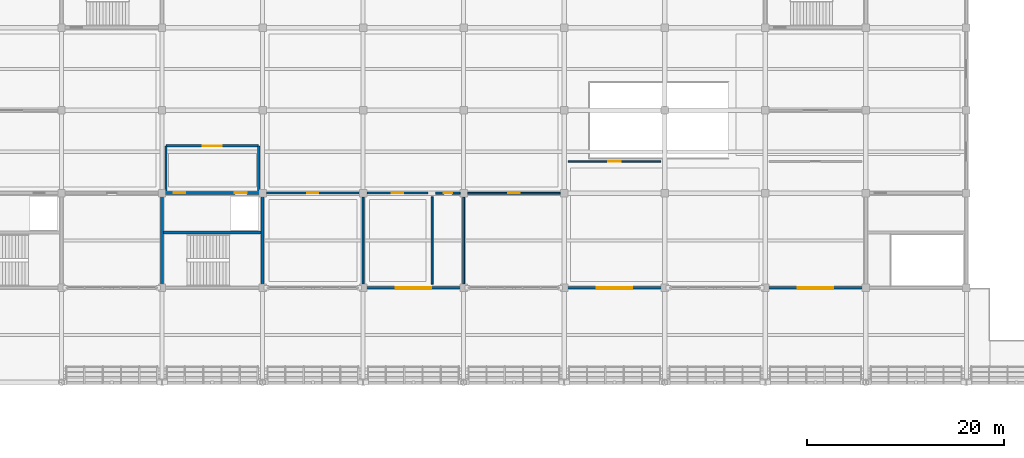
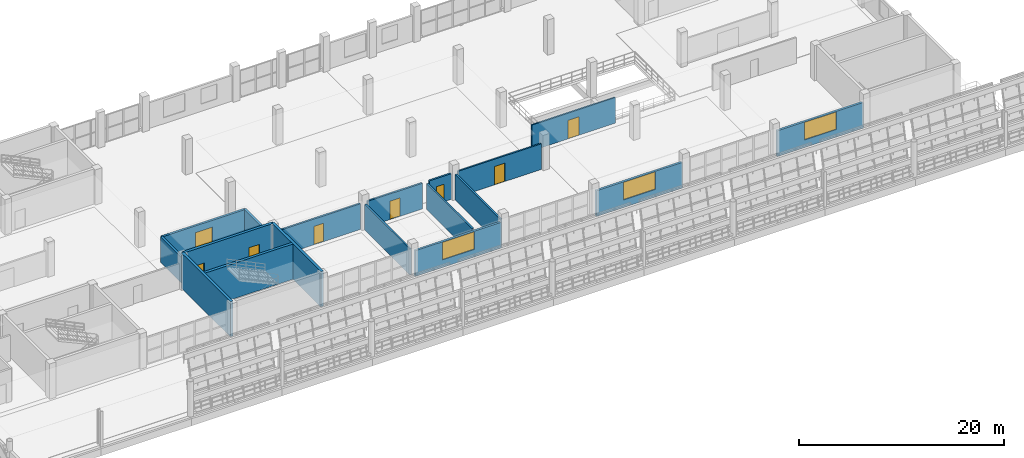
# One storey, part 127 of 157: 18 walls, 8 doors, 3 windows, 11 openings.
"""IFC4 building model written with IfcOpenShell, lengths in metres."""

from ifc_helpers import new_model, si_unit, direction, frame, frame_2d, origin, place, context, subcontext, project, spatial, rectangle, extrude, material, layer, layer_set, type_object, element, fill, save


model = new_model("IFC4")

# Units and contexts
model_context = context("Model", 3, precision=1e-05, world=origin(), true_north=direction((0.0, 1.0)))
body_context = subcontext(model_context, "Body", "Model", "MODEL_VIEW")
ifc_project = project(units=[si_unit("LENGTHUNIT", "METRE"), si_unit("AREAUNIT", "SQUARE_METRE"), si_unit("VOLUMEUNIT", "CUBIC_METRE"), si_unit("PLANEANGLEUNIT", "RADIAN"), si_unit("MASSUNIT", "GRAM", prefix="KILO")], contexts=[model_context])

# Site, building, storey
site_placement = place(None, origin())
site = spatial("IfcSite", under=ifc_project, at=site_placement, CompositionType="ELEMENT")
building_placement = place(site_placement, origin())
building = spatial("IfcBuilding", under=site, at=building_placement, Name="Brelvane Convention Centre", CompositionType="ELEMENT")
storey_placement = place(building_placement, frame((0.0, 0.0, 10.800048828125)))
storey = spatial("IfcBuildingStorey", under=building, at=storey_placement, Name="L02", CompositionType="ELEMENT", Elevation=10.800048828125)

# Wall, opening, window
ifc_material_1 = material(Name="Insulated Autoclaved Aerated Concrete Block Grade 1", Category="concrete")
ifc_layer_1 = layer(ifc_material_1, 0.239990234375)
ifc_layer_set_1 = layer_set([ifc_layer_1], Name="Insulated Autoclaved Aerated Concrete Block Grade 1")
wall_type_1 = type_object("IfcWallType", Name="Exterior Wall EW-03", PredefinedType="STANDARD", material=ifc_layer_set_1)
wall_1_placement = place(storey_placement, frame((51.239990234375, 109.199951171875, 0.0), z_axis=(0.0, 0.0, 1.0), x_axis=(1.0, 0.0, 0.0)))
wall_1 = element("IfcWall", 1, at=wall_1_placement, inside=storey, type_object=wall_type_1, Name="Exterior Wall L02 V4S-06", PredefinedType="STANDARD", context=body_context, shape_type="SweptSolid", body=[
    extrude(rectangle(XDim=9.719970703125, YDim=0.239990234375, at=frame_2d((4.85986328125, 0.0))), origin(), (0.0, 0.0, 1.0), 3.06005859375),
])
opening_1_placement = place(wall_1_placement, frame((3.06005859375, 0.0, 0.89990234375)))
opening_1 = element("IfcOpeningElement", 2, at=opening_1_placement, cuts=wall_1, Name="Opening WN-03", PredefinedType="OPENING", context=body_context, shape_type="SweptSolid", body=[
    extrude(rectangle(XDim=3.60009765625, YDim=2.10009765625, at=frame_2d((1.800048828125, 1.050048828125))), frame((0.0, 0.1298828125, 0.0), z_axis=(0.0, -1.0, 0.0), x_axis=(1.0, 0.0, 0.0)), (0.0, 0.0, 1.0), 0.260009765625),
])
ifc_material_2 = material(Name="Double Glazed Low-E Laminated Unit")
window_type = type_object("IfcWindowType", Name="Window WN-03", PartitioningType="TRIPLE_PANEL_VERTICAL", PredefinedType="WINDOW", material=ifc_material_2)
window_1_placement = place(opening_1_placement, origin())
window_1 = element("IfcWindow", 3, at=window_1_placement, inside=storey, type_object=window_type, Name="Facade Window L02-V4S-06-033", OverallHeight=2.10009765625, OverallWidth=3.60009765625, PartitioningType="TRIPLE_PANEL_VERTICAL", PredefinedType="WINDOW", context=body_context, shape_type="SweptSolid", body=[
    extrude(rectangle(XDim=3.60009765625, YDim=2.10009765625, at=frame_2d((1.800048828125, 1.050048828125))), frame((0.0, 0.030029296875, 0.0), z_axis=(0.0, -1.0, 0.0), x_axis=(1.0, 0.0, 0.0)), (0.0, 0.0, 1.0), 0.06005859375),
])
fill(opening_1, window_1)

wall_2_placement = place(storey_placement, frame((71.639892578125, 109.199951171875, 0.0), z_axis=(0.0, 0.0, 1.0), x_axis=(1.0, 0.0, 0.0)))
wall_2 = element("IfcWall", 4, at=wall_2_placement, inside=storey, type_object=wall_type_1, Name="Exterior Wall L02 V4S-08", PredefinedType="STANDARD", context=body_context, shape_type="SweptSolid", body=[
    extrude(rectangle(XDim=9.72021484375, YDim=0.239990234375, at=frame_2d((4.860107421875, 0.0))), origin(), (0.0, 0.0, 1.0), 3.06005859375),
])
opening_2_placement = place(wall_2_placement, frame((3.06005859375, 0.0, 0.89990234375)))
opening_2 = element("IfcOpeningElement", 5, at=opening_2_placement, cuts=wall_2, Name="Opening WN-03", PredefinedType="OPENING", context=body_context, shape_type="SweptSolid", body=[
    extrude(rectangle(XDim=3.60009765625, YDim=2.10009765625, at=frame_2d((1.800048828125, 1.050048828125))), frame((0.0, 0.1298828125, 0.0), z_axis=(0.0, -1.0, 0.0), x_axis=(1.0, 0.0, 0.0)), (0.0, 0.0, 1.0), 0.260009765625),
])
window_2_placement = place(opening_2_placement, origin())
window_2 = element("IfcWindow", 6, at=window_2_placement, inside=storey, type_object=window_type, Name="Facade Window L02-V4S-08-036", OverallHeight=2.10009765625, OverallWidth=3.60009765625, PartitioningType="TRIPLE_PANEL_VERTICAL", PredefinedType="WINDOW", context=body_context, shape_type="SweptSolid", body=[
    extrude(rectangle(XDim=3.60009765625, YDim=2.10009765625, at=frame_2d((1.800048828125, 1.050048828125))), frame((0.0, 0.030029296875, 0.0), z_axis=(0.0, -1.0, 0.0), x_axis=(1.0, 0.0, 0.0)), (0.0, 0.0, 1.0), 0.06005859375),
])
fill(opening_2, window_2)

wall_3_placement = place(storey_placement, frame((92.0400390625, 109.199951171875, 0.0), z_axis=(0.0, 0.0, 1.0), x_axis=(1.0, 0.0, 0.0)))
wall_3 = element("IfcWall", 7, at=wall_3_placement, inside=storey, type_object=wall_type_1, Name="Exterior Wall L02 V4S-10", PredefinedType="STANDARD", context=body_context, shape_type="SweptSolid", body=[
    extrude(rectangle(XDim=9.719970703125, YDim=0.239990234375, at=frame_2d((4.85986328125, 0.0))), origin(), (0.0, 0.0, 1.0), 3.06005859375),
])
opening_3_placement = place(wall_3_placement, frame((3.06005859375, 0.0, 0.89990234375)))
opening_3 = element("IfcOpeningElement", 8, at=opening_3_placement, cuts=wall_3, Name="Opening WN-03", PredefinedType="OPENING", context=body_context, shape_type="SweptSolid", body=[
    extrude(rectangle(XDim=3.60009765625, YDim=2.10009765625, at=frame_2d((1.800048828125, 1.050048828125))), frame((0.0, 0.1298828125, 0.0), z_axis=(0.0, -1.0, 0.0), x_axis=(1.0, 0.0, 0.0)), (0.0, 0.0, 1.0), 0.260009765625),
])
window_3_placement = place(opening_3_placement, origin())
window_3 = element("IfcWindow", 9, at=window_3_placement, inside=storey, type_object=window_type, Name="Facade Window L02-V4S-10-039", OverallHeight=2.10009765625, OverallWidth=3.60009765625, PartitioningType="TRIPLE_PANEL_VERTICAL", PredefinedType="WINDOW", context=body_context, shape_type="SweptSolid", body=[
    extrude(rectangle(XDim=3.60009765625, YDim=2.10009765625, at=frame_2d((1.800048828125, 1.050048828125))), frame((0.0, 0.030029296875, 0.0), z_axis=(0.0, -1.0, 0.0), x_axis=(1.0, 0.0, 0.0)), (0.0, 0.0, 1.0), 0.06005859375),
])
fill(opening_3, window_3)

# Wall, opening, door
ifc_material_3 = material(Name="Fire-Rated Acoustic Gypsum Partition Board Grade A")
ifc_layer_2 = layer(ifc_material_3, 0.1650390625)
ifc_layer_set_2 = layer_set([ifc_layer_2], Name="Fire-Rated Acoustic Gypsum Partition Board Grade A")
wall_type_2 = type_object("IfcWallType", Name="Interior Wall IW-AC-165", PredefinedType="PARTITIONING", material=ifc_layer_set_2)
wall_4_placement = place(storey_placement, frame((71.800048828125, 122.0, 0.0), z_axis=(0.0, 0.0, 1.0), x_axis=(1.0, 0.0, 0.0)))
wall_4 = element("IfcWall", 10, at=wall_4_placement, inside=storey, type_object=wall_type_2, Name="Interior Partition L02-SM304", PredefinedType="PARTITIONING", context=body_context, shape_type="SweptSolid", body=[
    extrude(rectangle(XDim=9.39990234375, YDim=0.1650390625, at=frame_2d((4.699951171875, 0.0))), origin(), (0.0, 0.0, 1.0), 3.06005859375),
])
opening_4_placement = place(wall_4_placement, frame((4.080078125, 0.0, 0.0)))
opening_4 = element("IfcOpeningElement", 11, at=opening_4_placement, cuts=wall_4, Name="Opening DR-IN-04R", PredefinedType="OPENING", context=body_context, shape_type="SweptSolid", body=[
    extrude(rectangle(XDim=1.239990234375, YDim=2.199951171875, at=frame_2d((0.6201171875, 1.10009765625))), frame((0.0, 0.092529296875, 0.0), z_axis=(0.0, -1.0, 0.0), x_axis=(1.0, 0.0, 0.0)), (0.0, 0.0, 1.0), 0.18505859375),
])
ifc_material_4 = material(Name="Galvanised Hollow-Metal Fire Door Steel E250", Category="steel")
door_type_1 = type_object("IfcDoorType", Name="Interior Door DR-IN-04R", OperationType="NOTDEFINED", PredefinedType="DOOR", material=ifc_material_4)
door_1_placement = place(opening_4_placement, origin())
door_1 = element("IfcDoor", 12, at=door_1_placement, inside=storey, type_object=door_type_1, Name="Interior Door L02-SM304 (DR-IN-04R)", OperationType="SINGLE_SWING_RIGHT", OverallHeight=2.199951171875, OverallWidth=1.239990234375, PredefinedType="DOOR", context=body_context, shape_type="SweptSolid", body=[
    extrude(rectangle(XDim=1.239990234375, YDim=2.199951171875, at=frame_2d((0.6201171875, 1.10009765625))), frame((0.0, 0.02490234375, 0.0), z_axis=(0.0, -1.0, 0.0), x_axis=(1.0, 0.0, 0.0)), (0.0, 0.0, 1.0), 0.050048828125),
])
fill(opening_4, door_1)

ifc_material_5 = material(Name="Fire-Rated Acoustic Gypsum Partition Board Grade A")
ifc_layer_3 = layer(ifc_material_5, 0.175048828125)
ifc_layer_set_3 = layer_set([ifc_layer_3], Name="Fire-Rated Acoustic Gypsum Partition Board Grade A")
wall_type_3 = type_object("IfcWallType", Name="Interior Wall IW-AC-175", PredefinedType="PARTITIONING", material=ifc_layer_set_3)
wall_5_placement = place(storey_placement, frame((61.60009765625, 118.800048828125, 0.0), z_axis=(0.0, 0.0, 1.0), x_axis=(1.0, 0.0, 0.0)))
wall_5 = element("IfcWall", 13, at=wall_5_placement, inside=storey, type_object=wall_type_3, Name="Interior Partition L02-MT303", PredefinedType="PARTITIONING", context=body_context, shape_type="SweptSolid", body=[
    extrude(rectangle(XDim=9.39990234375, YDim=0.175048828125, at=frame_2d((4.699951171875, 0.0))), origin(), (0.0, 0.0, 1.0), 3.06005859375),
])
opening_5_placement = place(wall_5_placement, frame((4.1201171875, 0.0, 0.0)))
opening_5 = element("IfcOpeningElement", 14, at=opening_5_placement, cuts=wall_5, Name="Opening DR-IN-04L", PredefinedType="OPENING", context=body_context, shape_type="SweptSolid", body=[
    extrude(rectangle(XDim=1.159912109375, YDim=2.199951171875, at=frame_2d((0.580078125, 1.10009765625))), frame((0.0, 0.097412109375, 0.0), z_axis=(0.0, -1.0, 0.0), x_axis=(1.0, 0.0, 0.0)), (0.0, 0.0, 1.0), 0.195068359375),
])
ifc_material_6 = material(Name="Galvanised Hollow-Metal Fire Door Steel E250", Category="steel")
door_type_2 = type_object("IfcDoorType", Name="Interior Door DR-IN-04L", OperationType="NOTDEFINED", PredefinedType="DOOR", material=ifc_material_6)
door_2_placement = place(opening_5_placement, origin())
door_2 = element("IfcDoor", 15, at=door_2_placement, inside=storey, type_object=door_type_2, Name="Interior Door L02-MT303 (DR-IN-04L)", OperationType="SINGLE_SWING_LEFT", OverallHeight=2.199951171875, OverallWidth=1.159912109375, PredefinedType="DOOR", context=body_context, shape_type="SweptSolid", body=[
    extrude(rectangle(XDim=1.159912109375, YDim=2.199951171875, at=frame_2d((0.580078125, 1.10009765625))), frame((0.0, 0.02490234375, 0.0), z_axis=(0.0, -1.0, 0.0), x_axis=(1.0, 0.0, 0.0)), (0.0, 0.0, 1.0), 0.050048828125),
])
fill(opening_5, door_2)

ifc_material_7 = material(Name="Fire-Rated Acoustic Gypsum Partition Board Grade A")
ifc_layer_4 = layer(ifc_material_7, 0.199951171875)
ifc_layer_set_4 = layer_set([ifc_layer_4], Name="Fire-Rated Acoustic Gypsum Partition Board Grade A")
wall_type_4 = type_object("IfcWallType", Name="Interior Wall IW-FR-200", PredefinedType="PARTITIONING", material=ifc_layer_set_4)
wall_6_placement = place(storey_placement, frame((41.199951171875, 118.800048828125, 0.0), z_axis=(0.0, 0.0, 1.0), x_axis=(1.0, 0.0, 0.0)))
wall_6 = element("IfcWall", 16, at=wall_6_placement, inside=storey, type_object=wall_type_4, Name="Interior Partition L02-WCM2", PredefinedType="PARTITIONING", context=body_context, shape_type="SweptSolid", body=[
    extrude(rectangle(XDim=9.400146484375, YDim=0.199951171875, at=frame_2d((4.7001953125, 0.0))), origin(), (0.0, 0.0, 1.0), 3.06005859375),
])
opening_6_placement = place(wall_6_placement, frame((4.14990234375, 0.0, 0.0)))
opening_6 = element("IfcOpeningElement", 17, at=opening_6_placement, cuts=wall_6, Name="Opening DR-IN-02L", PredefinedType="OPENING", context=body_context, shape_type="SweptSolid", body=[
    extrude(rectangle(XDim=1.10009765625, YDim=2.199951171875, at=frame_2d((0.550048828125, 1.10009765625))), frame((0.0, 0.10986328125, 0.0), z_axis=(0.0, -1.0, 0.0), x_axis=(1.0, 0.0, 0.0)), (0.0, 0.0, 1.0), 0.219970703125),
])
ifc_material_8 = material(Name="Solid-Core Fire-Rated Hardwood Leaf Grade 1", Category="wood")
door_type_3 = type_object("IfcDoorType", Name="Interior Door DR-IN-02L", OperationType="NOTDEFINED", PredefinedType="DOOR", material=ifc_material_8)
door_3_placement = place(opening_6_placement, origin())
door_3 = element("IfcDoor", 18, at=door_3_placement, inside=storey, type_object=door_type_3, Name="Interior Door L02-WCM2 (DR-IN-02L)", OperationType="SINGLE_SWING_LEFT", OverallHeight=2.199951171875, OverallWidth=1.10009765625, PredefinedType="DOOR", context=body_context, shape_type="SweptSolid", body=[
    extrude(rectangle(XDim=1.10009765625, YDim=2.199951171875, at=frame_2d((0.550048828125, 1.10009765625))), frame((0.0, 0.02490234375, 0.0), z_axis=(0.0, -1.0, 0.0), x_axis=(1.0, 0.0, 0.0)), (0.0, 0.0, 1.0), 0.050048828125),
])
fill(opening_6, door_3)

wall_7_placement = place(storey_placement, frame((51.39990234375, 118.800048828125, 0.0), z_axis=(0.0, 0.0, 1.0), x_axis=(1.0, 0.0, 0.0)))
wall_7 = element("IfcWall", 19, at=wall_7_placement, inside=storey, type_object=wall_type_4, Name="Interior Partition L02-WCF2", PredefinedType="PARTITIONING", context=body_context, shape_type="SweptSolid", body=[
    extrude(rectangle(XDim=6.2001953125, YDim=0.199951171875, at=frame_2d((3.10009765625, 0.0))), origin(), (0.0, 0.0, 1.0), 3.06005859375),
])
opening_7_placement = place(wall_7_placement, frame((2.52490234375, 0.0, 0.0)))
opening_7 = element("IfcOpeningElement", 20, at=opening_7_placement, cuts=wall_7, Name="Opening DR-IN-02R", PredefinedType="OPENING", context=body_context, shape_type="SweptSolid", body=[
    extrude(rectangle(XDim=1.14990234375, YDim=2.199951171875, at=frame_2d((0.574951171875, 1.10009765625))), frame((0.0, 0.10986328125, 0.0), z_axis=(0.0, -1.0, 0.0), x_axis=(1.0, 0.0, 0.0)), (0.0, 0.0, 1.0), 0.219970703125),
])
ifc_material_9 = material(Name="Solid-Core Fire-Rated Hardwood Leaf Grade 1", Category="wood")
door_type_4 = type_object("IfcDoorType", Name="Interior Door DR-IN-02R", OperationType="NOTDEFINED", PredefinedType="DOOR", material=ifc_material_9)
door_4_placement = place(opening_7_placement, origin())
door_4 = element("IfcDoor", 21, at=door_4_placement, inside=storey, type_object=door_type_4, Name="Interior Door L02-WCF2 (DR-IN-02R)", OperationType="SINGLE_SWING_RIGHT", OverallHeight=2.199951171875, OverallWidth=1.14990234375, PredefinedType="DOOR", context=body_context, shape_type="SweptSolid", body=[
    extrude(rectangle(XDim=1.14990234375, YDim=2.199951171875, at=frame_2d((0.574951171875, 1.10009765625))), frame((0.0, 0.02490234375, 0.0), z_axis=(0.0, -1.0, 0.0), x_axis=(1.0, 0.0, 0.0)), (0.0, 0.0, 1.0), 0.050048828125),
])
fill(opening_7, door_4)

wall_8_placement = place(storey_placement, frame((58.360107421875, 118.800048828125, 0.0), z_axis=(0.0, 0.0, 1.0), x_axis=(1.0, 0.0, 0.0)))
wall_8 = element("IfcWall", 22, at=wall_8_placement, inside=storey, type_object=wall_type_4, Name="Interior Partition L02-WC-ACCL2", PredefinedType="PARTITIONING", context=body_context, shape_type="SweptSolid", body=[
    extrude(rectangle(XDim=2.47998046875, YDim=0.199951171875, at=frame_2d((1.239990234375, 0.0))), origin(), (0.0, 0.0, 1.0), 3.06005859375),
])
opening_8_placement = place(wall_8_placement, frame((0.800048828125, 0.0, 0.0)))
opening_8 = element("IfcOpeningElement", 23, at=opening_8_placement, cuts=wall_8, Name="Opening DR-IN-11L", PredefinedType="OPENING", context=body_context, shape_type="SweptSolid", body=[
    extrude(rectangle(XDim=0.8798828125, YDim=2.080078125, at=frame_2d((0.43994140625, 1.0400390625))), frame((0.0, 0.10986328125, 0.0), z_axis=(0.0, -1.0, 0.0), x_axis=(1.0, 0.0, 0.0)), (0.0, 0.0, 1.0), 0.219970703125),
])
ifc_material_10 = material(Name="Solid-Core Fire-Rated Hardwood Leaf Grade 1", Category="wood")
door_type_5 = type_object("IfcDoorType", Name="Interior Door DR-IN-11L", OperationType="NOTDEFINED", PredefinedType="DOOR", material=ifc_material_10)
door_5_placement = place(opening_8_placement, origin())
door_5 = element("IfcDoor", 24, at=door_5_placement, inside=storey, type_object=door_type_5, Name="Interior Door L02-WC-ACCL2 (DR-IN-11L)", OperationType="SINGLE_SWING_LEFT", OverallHeight=2.080078125, OverallWidth=0.8798828125, PredefinedType="DOOR", context=body_context, shape_type="SweptSolid", body=[
    extrude(rectangle(XDim=0.8798828125, YDim=2.080078125, at=frame_2d((0.43994140625, 1.0400390625))), frame((0.0, 0.02490234375, 0.0), z_axis=(0.0, -1.0, 0.0), x_axis=(1.0, 0.0, 0.0)), (0.0, 0.0, 1.0), 0.050048828125),
])
fill(opening_8, door_5)

# Walls
for number, where, z_axis, x_axis, name in (
    (25, (51.0, 109.580078125, 0.0), (0.0, 0.0, 1.0), (0.0, 1.0, 0.0), "Interior Partition L02-WCDIV-L2A"),
    (26, (58.0, 109.580078125, 0.0), (0.0, 0.0, 1.0), (0.0, 1.0, 0.0), "Interior Partition L02-WCDIV-L2B"),
    (27, (61.199951171875, 109.580078125, 0.0), (0.0, 0.0, 1.0), (0.0, 1.0, 0.0), "Interior Partition L02-WCDIV-L2C"),
):
    element("IfcWall", number, at=place(storey_placement, frame(where, z_axis=z_axis, x_axis=x_axis)), inside=storey, type_object=wall_type_4, Name=name, PredefinedType="PARTITIONING", context=body_context, shape_type="SweptSolid", body=[
        extrude(rectangle(XDim=8.83984375, YDim=0.199951171875, at=frame_2d((4.419921875, 0.0))), origin(), (0.0, 0.0, 1.0), 3.06005859375),
    ])

# Wall, opening, door
ifc_material_11 = material(Name="Concrete M40", Category="concrete")
ifc_layer_5 = layer(ifc_material_11, 0.239990234375)
ifc_layer_set_5 = layer_set([ifc_layer_5], Name="Concrete M40")
wall_type_5 = type_object("IfcWallType", Name="Interior Wall IW-FR-240", PredefinedType="PARTITIONING", material=ifc_layer_set_5)
wall_9_placement = place(storey_placement, frame((31.0, 123.60009765625, 0.0), z_axis=(0.0, 0.0, 1.0), x_axis=(1.0, 0.0, 0.0)))
wall_9 = element("IfcWall", 28, at=wall_9_placement, inside=storey, type_object=wall_type_5, Name="Firefighting Lobby C7 Wall N (L02)", PredefinedType="PARTITIONING", context=body_context, shape_type="SweptSolid", body=[
    extrude(rectangle(XDim=9.39990234375, YDim=0.239990234375, at=frame_2d((4.699951171875, 0.0))), origin(), (0.0, 0.0, 1.0), 3.06005859375),
])
opening_9_placement = place(wall_9_placement, frame((3.75, 0.0, 0.0)))
opening_9 = element("IfcOpeningElement", 29, at=opening_9_placement, cuts=wall_9, Name="Opening DR-FL-01", PredefinedType="OPENING", context=body_context, shape_type="SweptSolid", body=[
    extrude(rectangle(XDim=1.89990234375, YDim=2.25, at=frame_2d((0.949951171875, 1.125))), frame((0.0, 0.1298828125, 0.0), z_axis=(0.0, -1.0, 0.0), x_axis=(1.0, 0.0, 0.0)), (0.0, 0.0, 1.0), 0.260009765625),
])
ifc_material_12 = material(Name="Galvanised Hollow-Metal Fire Door Steel E250", Category="steel")
door_type_6 = type_object("IfcDoorType", Name="Interior Door DR-FL-01", OperationType="NOTDEFINED", PredefinedType="DOOR", material=ifc_material_12)
door_6_placement = place(opening_9_placement, origin())
door_6 = element("IfcDoor", 30, at=door_6_placement, inside=storey, type_object=door_type_6, Name="Firefighting Lobby C7 Smoke Door (L02)", OperationType="DOUBLE_DOOR_SINGLE_SWING", OverallHeight=2.25, OverallWidth=1.89990234375, PredefinedType="DOOR", context=body_context, shape_type="SweptSolid", body=[
    extrude(rectangle(XDim=1.89990234375, YDim=2.25, at=frame_2d((0.949951171875, 1.125))), frame((0.0, 0.02490234375, 0.0), z_axis=(0.0, -1.0, 0.0), x_axis=(1.0, 0.0, 0.0)), (0.0, 0.0, 1.0), 0.050048828125),
])
fill(opening_9, door_6)

# Walls
for number, where, z_axis, x_axis, name in (
    (31, (40.39990234375, 119.0, 0.0), (0.0, 0.0, 1.0), (0.0, 1.0, 0.0), "Firefighting Lobby C7 Wall E (L02)"),
    (32, (31.0, 119.0, 0.0), (0.0, 0.0, 1.0), (0.0, 1.0, 0.0), "Firefighting Lobby C7 Wall W (L02)"),
):
    element("IfcWall", number, at=place(storey_placement, frame(where, z_axis=z_axis, x_axis=x_axis)), inside=storey, type_object=wall_type_5, Name=name, PredefinedType="PARTITIONING", context=body_context, shape_type="SweptSolid", body=[
        extrude(rectangle(XDim=4.60009765625, YDim=0.239990234375, at=frame_2d((2.300048828125, 0.0))), origin(), (0.0, 0.0, 1.0), 3.06005859375),
    ])

# Wall, openings, doors
ifc_material_13 = material(Name="Concrete M50", Category="concrete")
ifc_layer_6 = layer(ifc_material_13, 0.300048828125)
ifc_layer_set_6 = layer_set([ifc_layer_6], Name="Concrete M50")
wall_type_6 = type_object("IfcWallType", Name="Structural Wall WL-CORE-300", PredefinedType="SHEAR", material=ifc_layer_set_6)
wall_10_placement = place(storey_placement, frame((30.60009765625, 118.800048828125, 0.0), z_axis=(0.0, 0.0, 1.0), x_axis=(1.0, 0.0, 0.0)))
wall_10 = element("IfcWall", 33, at=wall_10_placement, inside=storey, type_object=wall_type_6, Name="Core C7 Shear Wall N (L02)", PredefinedType="SHEAR", context=body_context, shape_type="SweptSolid", body=[
    extrude(rectangle(XDim=10.199951171875, YDim=0.300048828125, at=frame_2d((5.10009765625, 0.0))), origin(), (0.0, 0.0, 1.0), 4.199951171875),
])
opening_10_placement = place(wall_10_placement, frame((1.199951171875, 0.0, 0.0)))
opening_10 = element("IfcOpeningElement", 34, at=opening_10_placement, cuts=wall_10, Name="Opening DR-IN-04L", PredefinedType="OPENING", context=body_context, shape_type="SweptSolid", body=[
    extrude(rectangle(XDim=1.159912109375, YDim=2.199951171875, at=frame_2d((0.580078125, 1.10009765625))), frame((0.0, 0.159912109375, 0.0), z_axis=(0.0, -1.0, 0.0), x_axis=(1.0, 0.0, 0.0)), (0.0, 0.0, 1.0), 0.320068359375),
])
opening_11_placement = place(wall_10_placement, frame((7.39990234375, 0.0, 0.0)))
opening_11 = element("IfcOpeningElement", 35, at=opening_11_placement, cuts=wall_10, Name="Opening LD-01", PredefinedType="OPENING", context=body_context, shape_type="SweptSolid", body=[
    extrude(rectangle(XDim=1.199951171875, YDim=2.25, at=frame_2d((0.60009765625, 1.125))), frame((0.0, 0.159912109375, 0.0), z_axis=(0.0, -1.0, 0.0), x_axis=(1.0, 0.0, 0.0)), (0.0, 0.0, 1.0), 0.320068359375),
])
door_7_placement = place(opening_10_placement, origin())
door_7 = element("IfcDoor", 36, at=door_7_placement, inside=storey, type_object=door_type_2, Name="Stair ST-07 Door (L02)", OperationType="SINGLE_SWING_LEFT", OverallHeight=2.199951171875, OverallWidth=1.159912109375, PredefinedType="DOOR", context=body_context, shape_type="SweptSolid", body=[
    extrude(rectangle(XDim=1.159912109375, YDim=2.199951171875, at=frame_2d((0.580078125, 1.10009765625))), frame((0.0, 0.02490234375, 0.0), z_axis=(0.0, -1.0, 0.0), x_axis=(1.0, 0.0, 0.0)), (0.0, 0.0, 1.0), 0.050048828125),
])
fill(opening_10, door_7)
ifc_material_14 = material(Name="Galvanised Hollow-Metal Fire Door Steel E250", Category="steel")
door_type_7 = type_object("IfcDoorType", Name="Interior Door LD-01", OperationType="NOTDEFINED", PredefinedType="DOOR", material=ifc_material_14)
door_8_placement = place(opening_11_placement, origin())
door_8 = element("IfcDoor", 37, at=door_8_placement, inside=storey, type_object=door_type_7, Name="Lift LF-04 Landing Door (L02)", OperationType="SLIDING_TO_LEFT", OverallHeight=2.25, OverallWidth=1.199951171875, PredefinedType="DOOR", context=body_context, shape_type="SweptSolid", body=[
    extrude(rectangle(XDim=1.199951171875, YDim=2.25, at=frame_2d((0.60009765625, 1.125))), frame((0.0, 0.02490234375, 0.0), z_axis=(0.0, -1.0, 0.0), x_axis=(1.0, 0.0, 0.0)), (0.0, 0.0, 1.0), 0.050048828125),
])
fill(opening_11, door_8)

# Walls
for number, where, z_axis, x_axis, name in (
    (38, (30.60009765625, 109.199951171875, 0.0), (0.0, 0.0, 1.0), (0.0, 1.0, 0.0), "Core C7 Shear Wall W (L02)"),
    (39, (40.800048828125, 109.199951171875, 0.0), (0.0, 0.0, 1.0), (0.0, 1.0, 0.0), "Core C7 Shear Wall E (L02)"),
):
    element("IfcWall", number, at=place(storey_placement, frame(where, z_axis=z_axis, x_axis=x_axis)), inside=storey, type_object=wall_type_6, Name=name, PredefinedType="SHEAR", context=body_context, shape_type="SweptSolid", body=[
        extrude(rectangle(XDim=9.60009765625, YDim=0.300048828125, at=frame_2d((4.800048828125, 0.0))), origin(), (0.0, 0.0, 1.0), 4.199951171875),
    ])
wall_11_placement = place(storey_placement, frame((30.75, 114.800048828125, 0.0), z_axis=(0.0, 0.0, 1.0), x_axis=(1.0, 0.0, 0.0)))
element("IfcWall", 40, at=wall_11_placement, inside=storey, type_object=wall_type_6, Name="Core C7 Shaft Divider Wall (L02)", PredefinedType="SHEAR", context=body_context, shape_type="SweptSolid", body=[
    extrude(rectangle(XDim=9.89990234375, YDim=0.300048828125, at=frame_2d((4.949951171875, 0.0))), origin(), (0.0, 0.0, 1.0), 4.199951171875),
])

save(model, "model.ifc")
